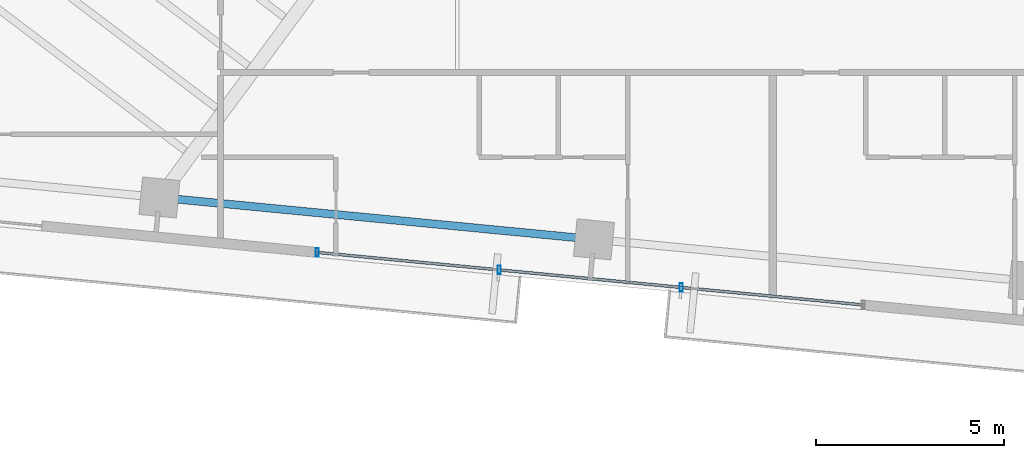
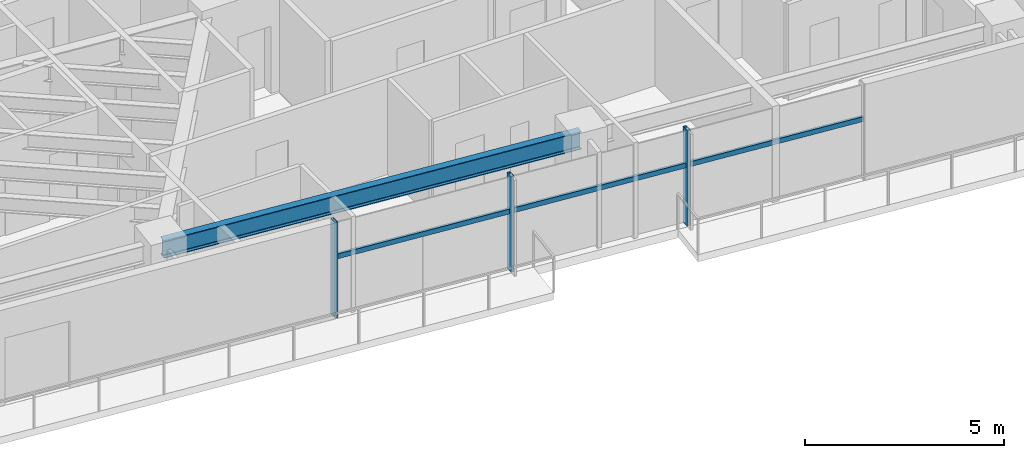
# One storey, part 4 of 20: 6 members, 1 beam, 1 element without a shape of its own.
"""IFC4 building model written with IfcOpenShell, lengths in metres."""

from ifc_helpers import new_model, si_unit, direction, frame, origin, origin_2d, place, context, subcontext, project, spatial, hollow_rectangle, i_section, extrude, source, transform, mapped, material, material_profile, profile_set, type_object, type_shapes, element, aggregate, save


model = new_model("IFC4")

# Units and contexts
model_context = context("Model", 3, precision=1e-05, world=origin(), true_north=direction((0.0, 1.0)))
body_context = subcontext(model_context, "Body", "Model", "MODEL_VIEW")
ifc_project = project(units=[si_unit("LENGTHUNIT", "METRE"), si_unit("AREAUNIT", "SQUARE_METRE"), si_unit("VOLUMEUNIT", "CUBIC_METRE"), si_unit("PLANEANGLEUNIT", "RADIAN"), si_unit("MASSUNIT", "GRAM", prefix="KILO")], contexts=[model_context])

# Site, building, storey
site_placement = place(None, origin())
site = spatial("IfcSite", under=ifc_project, at=site_placement, CompositionType="ELEMENT")
building_placement = place(site_placement, origin())
building = spatial("IfcBuilding", under=site, at=building_placement, Name="Astriad Promenade Condominiums", CompositionType="ELEMENT")
storey_placement = place(building_placement, frame((0.0, 0.0, 137.39990234375)))
storey = spatial("IfcBuildingStorey", under=building, at=storey_placement, Name="L39", CompositionType="ELEMENT", Elevation=137.39990234375)

# Beam
ifc_material_1 = material(Name="Steel ASTM A992 Grade 50", Category="steel")
ifc_material_profile_1 = material_profile(ifc_material_1, i_section(OverallWidth=0.210693359375, OverallDepth=0.53955078125, WebThickness=0.01171875, FlangeThickness=0.018798828125, FilletRadius=0.0166015625, at=origin_2d()), Name="W21X73")
ifc_profile_set_1 = profile_set([ifc_material_profile_1], Name="Steel ASTM A992 Grade 50")
beam_type = type_object("IfcBeamType", Name="STEEL SPANDREL BEAM W21X73", PredefinedType="SPANDREL", material=ifc_profile_set_1)
shared_shape_1 = source(origin(), body_context, "Body", "SweptSolid", [
    extrude(i_section(OverallWidth=0.210693359375, OverallDepth=0.53955078125, WebThickness=0.01171875, FlangeThickness=0.018798828125, FilletRadius=0.0166015625, at=origin_2d()), origin(), (0.0, 0.0, 1.0), 11.52001953125),
])
type_shapes(beam_type, [shared_shape_1])
beam_placement = place(storey_placement, frame((20.467041015625, 9.32763671875, 2.67041015625), z_axis=(0.9953953902, -0.095854145285, 0.0), x_axis=(0.095854145285, 0.9953953902, 0.0)))
element("IfcBeam", 1, at=beam_placement, inside=storey, type_object=beam_type, Name="Perimeter Spandrel Beam SP-S2-L39", PredefinedType="SPANDREL", context=body_context, shape_type="MappedRepresentation", body=[
    mapped(shared_shape_1, transform((0.0, 0.0, 0.0), scale=1.0)),
])

# Curtain wall, members
ifc_material_2 = material(Name="Anodised aluminium Black Dark Glass Unitised", Category="aluminium")
curtain_wall_type = type_object("IfcCurtainWallType", Name="CW-B34-DARK", PredefinedType="USERDEFINED", material=ifc_material_2)
curtain_wall_placement = place(storey_placement, origin())
curtain_wall = element("IfcCurtainWall", 2, at=curtain_wall_placement, inside=storey, type_object=curtain_wall_type, Name="CW-L39-S", ObjectType="UNITISED_CURTAIN_WALL", PredefinedType="USERDEFINED")
ifc_material_3 = material(Name="Anodised aluminium 6063-T6 Black", Category="aluminium")
ifc_material_profile_2 = material_profile(ifc_material_3, hollow_rectangle(XDim=0.074951171875, YDim=0.14990234375, WallThickness=0.004150390625, at=origin_2d()), Name="ALU-TRN-75X150")
ifc_profile_set_2 = profile_set([ifc_material_profile_2], Name="Anodised aluminium 6063-T6 Black")
member_type_1 = type_object("IfcMemberType", Name="TRN-ALU-TRN-75X150", PredefinedType="USERDEFINED", material=ifc_profile_set_2)
shared_shape_2 = source(origin(), body_context, "Body", "SweptSolid", [
    extrude(hollow_rectangle(XDim=0.074951171875, YDim=0.14990234375, WallThickness=0.004150390625, at=origin_2d()), origin(), (0.0, 0.0, 1.0), 4.860107421875),
])
type_shapes(member_type_1, [shared_shape_2])
member_1_placement = place(storey_placement, frame((39.129638671875, 6.475830078125, 1.822998046875), z_axis=(-0.995396042559, 0.095847370639, 0.0), x_axis=(-0.095847370639, -0.995396042559, 0.0)))
member_1 = element("IfcMember", 3, at=member_1_placement, type_object=member_type_1, Name="CW-L39-S-TRN-00-0", ObjectType="TRANSOM", PredefinedType="USERDEFINED", context=body_context, shape_type="MappedRepresentation", body=[
    mapped(shared_shape_2, transform((0.0, 0.0, 0.0), scale=1.0)),
])
member_2_placement = place(storey_placement, frame((34.2919921875, 6.941650390625, 1.822998046875), z_axis=(-0.995396042559, 0.095847370639, 0.0), x_axis=(-0.095847370639, -0.995396042559, 0.0)))
member_2 = element("IfcMember", 4, at=member_2_placement, type_object=member_type_1, Name="CW-L39-S-TRN-01-0", ObjectType="TRANSOM", PredefinedType="USERDEFINED", context=body_context, shape_type="MappedRepresentation", body=[
    mapped(shared_shape_2, transform((0.0, 0.0, 0.0), scale=1.0)),
])
member_3_placement = place(storey_placement, frame((29.454345703125, 7.407470703125, 1.822998046875), z_axis=(-0.995396042559, 0.095847370639, 0.0), x_axis=(-0.095847370639, -0.995396042559, 0.0)))
member_3 = element("IfcMember", 5, at=member_3_placement, type_object=member_type_1, Name="CW-L39-S-TRN-02-0", ObjectType="TRANSOM", PredefinedType="USERDEFINED", context=body_context, shape_type="MappedRepresentation", body=[
    mapped(shared_shape_2, transform((0.0, 0.0, 0.0), scale=1.0)),
])
ifc_material_profile_3 = material_profile(ifc_material_3, hollow_rectangle(XDim=0.0849609375, YDim=0.219970703125, WallThickness=0.0048828125, at=origin_2d()), Name="ALU-MUL-85X220")
ifc_profile_set_3 = profile_set([ifc_material_profile_3], Name="Anodised aluminium 6063-T6 Black")
member_type_2 = type_object("IfcMemberType", Name="MUL-ALU-MUL-85X220", PredefinedType="MULLION", material=ifc_profile_set_3)
shared_shape_3 = source(origin(), body_context, "Body", "SweptSolid", [
    extrude(hollow_rectangle(XDim=0.0849609375, YDim=0.219970703125, WallThickness=0.0048828125, at=origin_2d()), origin(), (0.0, 0.0, 1.0), 2.940185546875),
])
type_shapes(member_type_2, [shared_shape_3])
member_4_placement = place(storey_placement, frame((34.2919921875, 6.941650390625, 0.0), z_axis=(0.0, 0.0, 1.0), x_axis=(1.0, 0.0, 0.0)))
member_4 = element("IfcMember", 6, at=member_4_placement, type_object=member_type_2, Name="CW-L39-S-MUL-01", PredefinedType="MULLION", context=body_context, shape_type="MappedRepresentation", body=[
    mapped(shared_shape_3, transform((0.0, 0.0, 0.0), scale=1.0)),
])
member_5_placement = place(storey_placement, frame((29.454345703125, 7.407470703125, 0.0), z_axis=(0.0, 0.0, 1.0), x_axis=(1.0, 0.0, 0.0)))
member_5 = element("IfcMember", 7, at=member_5_placement, type_object=member_type_2, Name="CW-L39-S-MUL-02", PredefinedType="MULLION", context=body_context, shape_type="MappedRepresentation", body=[
    mapped(shared_shape_3, transform((0.0, 0.0, 0.0), scale=1.0)),
])
member_6_placement = place(storey_placement, frame((24.61669921875, 7.873291015625, 0.0), z_axis=(0.0, 0.0, 1.0), x_axis=(1.0, 0.0, 0.0)))
member_6 = element("IfcMember", 8, at=member_6_placement, type_object=member_type_2, Name="CW-L39-S-MUL-03", PredefinedType="MULLION", context=body_context, shape_type="MappedRepresentation", body=[
    mapped(shared_shape_3, transform((0.0, 0.0, 0.0), scale=1.0)),
])
aggregate(curtain_wall, [member_4, member_5, member_6, member_1, member_2, member_3])

save(model, "model.ifc")
